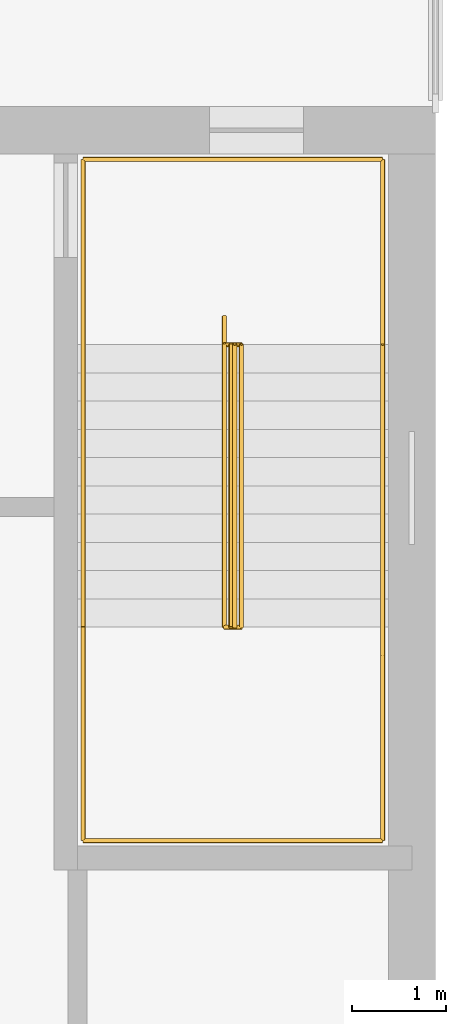
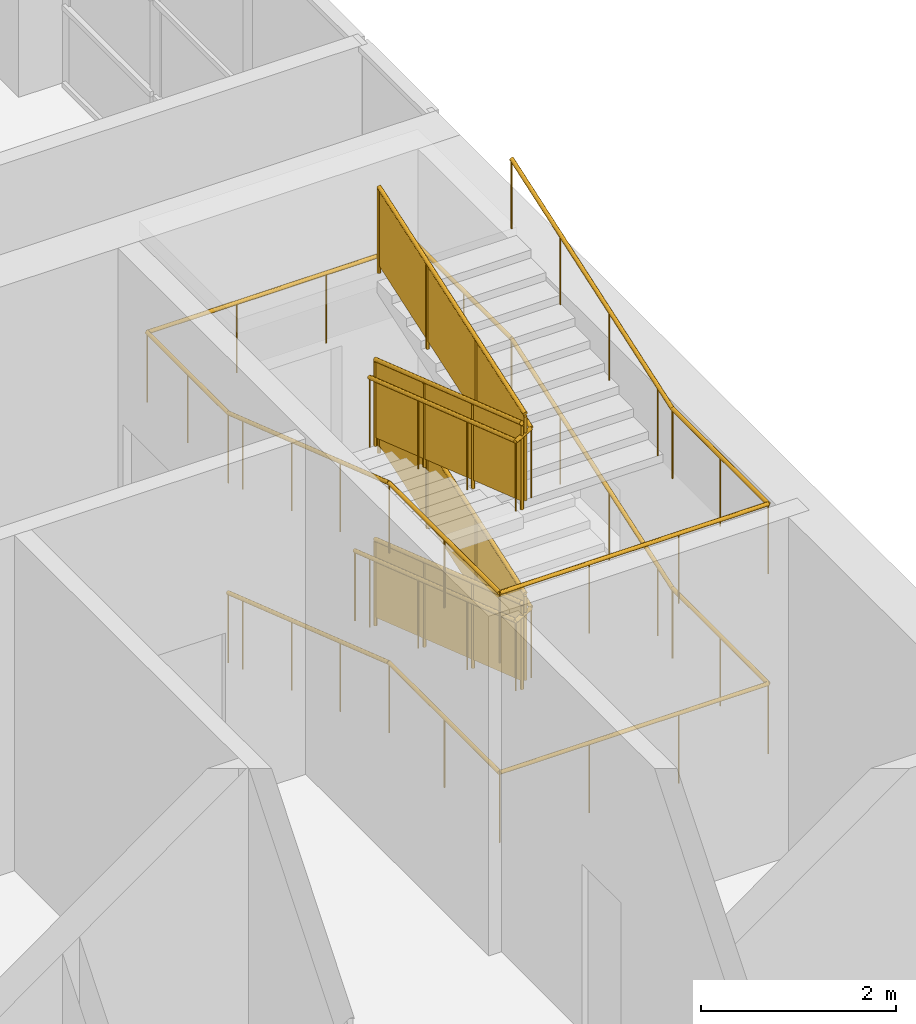
# One storey, part 60 of 64: 6 railings.
"""IFC4 building model written with IfcOpenShell, lengths in metres."""

from ifc_helpers import new_model, si_unit, direction, frame, origin, origin_2d, place, context, subcontext, project, spatial, polyline, circle, outline, extrude, material, type_object, element, save


model = new_model("IFC4")

# Units and contexts
model_context = context("Model", 3, precision=1e-05, world=origin(), true_north=direction((0.0, 1.0)))
body_context = subcontext(model_context, "Body", "Model", "MODEL_VIEW")
ifc_project = project(units=[si_unit("LENGTHUNIT", "METRE"), si_unit("AREAUNIT", "SQUARE_METRE"), si_unit("VOLUMEUNIT", "CUBIC_METRE"), si_unit("PLANEANGLEUNIT", "RADIAN"), si_unit("MASSUNIT", "GRAM", prefix="KILO")], contexts=[model_context])

# Site, building, storey
site_placement = place(None, origin())
site = spatial("IfcSite", under=ifc_project, at=site_placement, CompositionType="ELEMENT")
building_placement = place(site_placement, origin())
building = spatial("IfcBuilding", under=site, at=building_placement, Name="Rulbaag Community and Learning Centre", CompositionType="ELEMENT")
storey_placement = place(building_placement, frame((0.0, 0.0, 5.39990234375)))
storey = spatial("IfcBuildingStorey", under=building, at=storey_placement, Name="L01", CompositionType="ELEMENT", Elevation=5.39990234375)

# Railings
ifc_material_1 = material(Name="Galvanised mild steel", Category="steel")
railing_type_1 = type_object("IfcRailingType", Name="GR-1100 GUARD 1100", PredefinedType="GUARDRAIL", material=ifc_material_1)
railing_1_placement = place(storey_placement, frame((165.830078125, 106.925048828125, 0.102294921875)))
element("IfcRailing", 1, at=railing_1_placement, inside=storey, type_object=railing_type_1, Name="Guard ST2 L01 G", PredefinedType="GUARDRAIL", context=body_context, shape_type="SweptSolid", body=[
    extrude(circle(Radius=0.02490234375, at=origin_2d()), frame((0.0, 0.0, 1.0751953125), z_axis=(0.0, -0.946512326817, 0.322667654381), x_axis=(1.0, 0.0, 0.0)), (0.0, 0.0, 1.0), 3.16943359375),
    extrude(circle(Radius=0.02001953125, at=origin_2d()), origin(), (0.0, 0.0, 1.0), 1.050048828125),
    extrude(circle(Radius=0.02001953125, at=origin_2d()), frame((0.0, -1.0, 0.3408203125)), (0.0, 0.0, 1.0), 1.050048828125),
    extrude(circle(Radius=0.02001953125, at=origin_2d()), frame((0.0, -2.0, 0.681884765625)), (0.0, 0.0, 1.0), 1.050048828125),
    extrude(circle(Radius=0.02001953125, at=origin_2d()), frame((0.0, -3.0, 1.022705078125)), (0.0, 0.0, 1.0), 1.050048828125),
    extrude(outline(polyline([(0.0, 0.0), (3.0, 1.022705078125), (3.0, 1.97265625), (0.0, 0.949951171875), (0.0, 0.0)])), frame((0.0048828125, 0.0, 0.10009765625), z_axis=(-1.0, 0.0, 0.0), x_axis=(0.0, -1.0, 0.0)), (0.0, 0.0, 1.0), 0.010009765625),
])
railing_2_placement = place(storey_placement, frame((165.8701171875, 103.925048828125, 1.227294921875)))
element("IfcRailing", 2, at=railing_2_placement, inside=storey, type_object=railing_type_1, Name="Guard ST2 L01 G2", PredefinedType="GUARDRAIL", context=body_context, shape_type="SweptSolid", body=[
    extrude(circle(Radius=0.02490234375, at=origin_2d()), frame((0.0, 0.0, 1.0751953125), z_axis=(0.0, 0.946512326817, 0.322667654381), x_axis=(-1.0, 0.0, 0.0)), (0.0, 0.0, 1.0), 3.16943359375),
    extrude(circle(Radius=0.02001953125, at=origin_2d()), origin(), (0.0, 0.0, 1.0), 1.050048828125),
    extrude(circle(Radius=0.02001953125, at=origin_2d()), frame((0.0, 1.0, 0.3408203125)), (0.0, 0.0, 1.0), 1.050048828125),
    extrude(circle(Radius=0.02001953125, at=origin_2d()), frame((0.0, 2.0, 0.681884765625)), (0.0, 0.0, 1.0), 1.050048828125),
    extrude(circle(Radius=0.02001953125, at=origin_2d()), frame((0.0, 3.0, 1.022705078125)), (0.0, 0.0, 1.0), 1.050048828125),
    extrude(outline(polyline([(0.0, 0.0), (3.0, 1.022705078125), (3.0, 1.97265625), (0.0, 0.949951171875), (0.0, 0.0)])), frame((-0.0048828125, 0.0, 0.10009765625), z_axis=(1.0, 0.0, 0.0), x_axis=(0.0, 1.0, 0.0)), (0.0, 0.0, 1.0), 0.010009765625),
])
railing_3_placement = place(storey_placement, frame((165.830078125, 106.925048828125, 2.352294921875)))
element("IfcRailing", 3, at=railing_3_placement, inside=storey, type_object=railing_type_1, Name="Guard ST2 L01 G3", PredefinedType="GUARDRAIL", context=body_context, shape_type="SweptSolid", body=[
    extrude(circle(Radius=0.02490234375, at=origin_2d()), frame((0.0, 0.0, 1.0751953125), z_axis=(0.0, -0.946512326817, 0.322667654381), x_axis=(1.0, 0.0, 0.0)), (0.0, 0.0, 1.0), 3.16943359375),
    extrude(circle(Radius=0.02001953125, at=origin_2d()), origin(), (0.0, 0.0, 1.0), 1.050048828125),
    extrude(circle(Radius=0.02001953125, at=origin_2d()), frame((0.0, -1.0, 0.3408203125)), (0.0, 0.0, 1.0), 1.050048828125),
    extrude(circle(Radius=0.02001953125, at=origin_2d()), frame((0.0, -2.0, 0.681884765625)), (0.0, 0.0, 1.0), 1.050048828125),
    extrude(circle(Radius=0.02001953125, at=origin_2d()), frame((0.0, -3.0, 1.022705078125)), (0.0, 0.0, 1.0), 1.050048828125),
    extrude(outline(polyline([(0.0, 0.0), (3.0, 1.022705078125), (3.0, 1.97265625), (0.0, 0.949951171875), (0.0, 0.0)])), frame((0.0048828125, 0.0, 0.10009765625), z_axis=(-1.0, 0.0, 0.0), x_axis=(0.0, -1.0, 0.0)), (0.0, 0.0, 1.0), 0.010009765625),
])
railing_4_placement = place(storey_placement, frame((165.8701171875, 103.925048828125, 3.477294921875)))
element("IfcRailing", 4, at=railing_4_placement, inside=storey, type_object=railing_type_1, Name="Guard ST2 L01 G4", PredefinedType="GUARDRAIL", context=body_context, shape_type="SweptSolid", body=[
    extrude(circle(Radius=0.02490234375, at=origin_2d()), frame((0.0, 0.0, 1.0751953125), z_axis=(0.0, 0.946512326817, 0.322667654381), x_axis=(-1.0, 0.0, 0.0)), (0.0, 0.0, 1.0), 3.16943359375),
    extrude(circle(Radius=0.02001953125, at=origin_2d()), origin(), (0.0, 0.0, 1.0), 1.050048828125),
    extrude(circle(Radius=0.02001953125, at=origin_2d()), frame((0.0, 1.0, 0.3408203125)), (0.0, 0.0, 1.0), 1.050048828125),
    extrude(circle(Radius=0.02001953125, at=origin_2d()), frame((0.0, 2.0, 0.681884765625)), (0.0, 0.0, 1.0), 1.050048828125),
    extrude(circle(Radius=0.02001953125, at=origin_2d()), frame((0.0, 3.0, 1.022705078125)), (0.0, 0.0, 1.0), 1.050048828125),
    extrude(outline(polyline([(0.0, 0.0), (3.0, 1.022705078125), (3.0, 1.97265625), (0.0, 0.949951171875), (0.0, 0.0)])), frame((-0.0048828125, 0.0, 0.10009765625), z_axis=(1.0, 0.0, 0.0), x_axis=(0.0, 1.0, 0.0)), (0.0, 0.0, 1.0), 0.010009765625),
])
ifc_material_2 = material(Name="Stainless steel grade 316", Category="steel")
railing_type_2 = type_object("IfcRailingType", Name="HR-900 HANDRAIL 900", PredefinedType="HANDRAIL", material=ifc_material_2)
railing_5_placement = place(storey_placement, frame((164.260009765625, 107.22509765625, 0.0)))
element("IfcRailing", 5, at=railing_5_placement, inside=storey, type_object=railing_type_2, Name="Handrail ST2 L01 O", PredefinedType="HANDRAIL", context=body_context, shape_type="SweptSolid", body=[
    extrude(circle(Radius=0.024169921875, at=origin_2d()), frame((0.0, 0.0, 0.875732421875), z_axis=(0.0, -0.946504842313, 0.322689608567), x_axis=(1.0, 0.0, 0.0)), (0.0, 0.0, 1.0), 0.31689453125),
    extrude(circle(Radius=0.024169921875, at=origin_2d()), frame((0.0, -0.300048828125, 0.97802734375), z_axis=(0.0, -0.946512326817, 0.322667654381), x_axis=(1.0, 0.0, 0.0)), (0.0, 0.0, 1.0), 3.16943359375),
    extrude(circle(Radius=0.024169921875, at=origin_2d()), frame((0.0, -3.300048828125, 2.000732421875), z_axis=(0.0, -1.0, 0.0), x_axis=(1.0, 0.0, 0.0)), (0.0, 0.0, 1.0), 2.26513671875),
    extrude(circle(Radius=0.024169921875, at=origin_2d()), frame((0.0, -5.565185546875, 2.000732421875), z_axis=(1.0, 0.0, 0.0), x_axis=(0.0, 1.0, 0.0)), (0.0, 0.0, 1.0), 3.179931640625),
    extrude(circle(Radius=0.024169921875, at=origin_2d()), frame((3.179931640625, -5.565185546875, 2.000732421875), z_axis=(0.0, 1.0, 0.0), x_axis=(-1.0, 0.0, 0.0)), (0.0, 0.0, 1.0), 1.965087890625),
    extrude(circle(Radius=0.024169921875, at=origin_2d()), frame((3.179931640625, -3.60009765625, 2.000732421875), z_axis=(0.0, 0.946504842313, 0.322689608567), x_axis=(-1.0, 0.0, 0.0)), (0.0, 0.0, 1.0), 0.31689453125),
    extrude(circle(Radius=0.024169921875, at=origin_2d()), frame((3.179931640625, -3.300048828125, 2.10302734375), z_axis=(0.0, 0.946512326817, 0.322667654381), x_axis=(-1.0, 0.0, 0.0)), (0.0, 0.0, 1.0), 3.16943359375),
    extrude(circle(Radius=0.024169921875, at=origin_2d()), frame((3.179931640625, -0.300048828125, 3.125732421875), z_axis=(0.0, 1.0, 0.0), x_axis=(-1.0, 0.0, 0.0)), (0.0, 0.0, 1.0), 1.96484375),
    extrude(circle(Radius=0.024169921875, at=origin_2d()), frame((3.179931640625, 1.664794921875, 3.125732421875), z_axis=(-1.0, 0.0, 0.0), x_axis=(0.0, -1.0, 0.0)), (0.0, 0.0, 1.0), 3.179931640625),
    extrude(circle(Radius=0.024169921875, at=origin_2d()), frame((0.0, 1.664794921875, 3.125732421875), z_axis=(0.0, -1.0, 0.0), x_axis=(1.0, 0.0, 0.0)), (0.0, 0.0, 1.0), 1.664794921875),
    extrude(circle(Radius=0.024169921875, at=origin_2d()), frame((0.0, 0.0, 3.125732421875), z_axis=(0.0, -0.946504842313, 0.322689608567), x_axis=(1.0, 0.0, 0.0)), (0.0, 0.0, 1.0), 0.31689453125),
    extrude(circle(Radius=0.024169921875, at=origin_2d()), frame((0.0, -0.300048828125, 3.22802734375), z_axis=(0.0, -0.946512326817, 0.322667654381), x_axis=(1.0, 0.0, 0.0)), (0.0, 0.0, 1.0), 3.16943359375),
    extrude(circle(Radius=0.024169921875, at=origin_2d()), frame((0.0, -3.300048828125, 4.250732421875), z_axis=(0.0, -1.0, 0.0), x_axis=(1.0, 0.0, 0.0)), (0.0, 0.0, 1.0), 2.26513671875),
    extrude(circle(Radius=0.024169921875, at=origin_2d()), frame((0.0, -5.565185546875, 4.250732421875), z_axis=(1.0, 0.0, 0.0), x_axis=(0.0, 1.0, 0.0)), (0.0, 0.0, 1.0), 3.179931640625),
    extrude(circle(Radius=0.024169921875, at=origin_2d()), frame((3.179931640625, -5.565185546875, 4.250732421875), z_axis=(0.0, 1.0, 0.0), x_axis=(-1.0, 0.0, 0.0)), (0.0, 0.0, 1.0), 1.965087890625),
    extrude(circle(Radius=0.024169921875, at=origin_2d()), frame((3.179931640625, -3.60009765625, 4.250732421875), z_axis=(0.0, 0.946504842313, 0.322689608567), x_axis=(-1.0, 0.0, 0.0)), (0.0, 0.0, 1.0), 0.31689453125),
    extrude(circle(Radius=0.024169921875, at=origin_2d()), frame((3.179931640625, -3.300048828125, 4.35302734375), z_axis=(0.0, 0.946512326817, 0.322667654381), x_axis=(-1.0, 0.0, 0.0)), (0.0, 0.0, 1.0), 3.16943359375),
    extrude(circle(Radius=0.008056640625, at=origin_2d()), origin(), (0.0, 0.0, 1.0), 0.8515625),
    extrude(circle(Radius=0.008056640625, at=origin_2d()), frame((0.0, -0.300048828125, 0.102294921875)), (0.0, 0.0, 1.0), 0.8515625),
    extrude(circle(Radius=0.008056640625, at=origin_2d()), frame((0.0, -1.300048828125, 0.443115234375)), (0.0, 0.0, 1.0), 0.8515625),
    extrude(circle(Radius=0.008056640625, at=origin_2d()), frame((0.0, -2.300048828125, 0.7841796875)), (0.0, 0.0, 1.0), 0.8515625),
    extrude(circle(Radius=0.008056640625, at=origin_2d()), frame((0.0, -3.300048828125, 1.125)), (0.0, 0.0, 1.0), 0.8515625),
    extrude(circle(Radius=0.008056640625, at=origin_2d()), frame((0.0, -4.4326171875, 1.125)), (0.0, 0.0, 1.0), 0.8515625),
    extrude(circle(Radius=0.008056640625, at=origin_2d()), frame((0.0, -5.565185546875, 1.125)), (0.0, 0.0, 1.0), 0.8515625),
    extrude(circle(Radius=0.008056640625, at=origin_2d()), frame((1.06005859375, -5.565185546875, 1.125)), (0.0, 0.0, 1.0), 0.8515625),
    extrude(circle(Radius=0.008056640625, at=origin_2d()), frame((2.119873046875, -5.565185546875, 1.125)), (0.0, 0.0, 1.0), 0.8515625),
    extrude(circle(Radius=0.008056640625, at=origin_2d()), frame((3.179931640625, -5.565185546875, 1.125)), (0.0, 0.0, 1.0), 0.8515625),
    extrude(circle(Radius=0.008056640625, at=origin_2d()), frame((3.179931640625, -4.58251953125, 1.125)), (0.0, 0.0, 1.0), 0.8515625),
    extrude(circle(Radius=0.008056640625, at=origin_2d()), frame((3.179931640625, -3.60009765625, 1.125)), (0.0, 0.0, 1.0), 0.8515625),
    extrude(circle(Radius=0.008056640625, at=origin_2d()), frame((3.179931640625, -3.300048828125, 1.227294921875)), (0.0, 0.0, 1.0), 0.8515625),
    extrude(circle(Radius=0.008056640625, at=origin_2d()), frame((3.179931640625, -2.300048828125, 1.568115234375)), (0.0, 0.0, 1.0), 0.8515625),
    extrude(circle(Radius=0.008056640625, at=origin_2d()), frame((3.179931640625, -1.300048828125, 1.9091796875)), (0.0, 0.0, 1.0), 0.8515625),
    extrude(circle(Radius=0.008056640625, at=origin_2d()), frame((3.179931640625, -0.300048828125, 2.25)), (0.0, 0.0, 1.0), 0.8515625),
    extrude(circle(Radius=0.008056640625, at=origin_2d()), frame((3.179931640625, 0.682373046875, 2.25)), (0.0, 0.0, 1.0), 0.8515625),
    extrude(circle(Radius=0.008056640625, at=origin_2d()), frame((3.179931640625, 1.664794921875, 2.25)), (0.0, 0.0, 1.0), 0.8515625),
    extrude(circle(Radius=0.008056640625, at=origin_2d()), frame((2.119873046875, 1.664794921875, 2.25)), (0.0, 0.0, 1.0), 0.8515625),
    extrude(circle(Radius=0.008056640625, at=origin_2d()), frame((1.06005859375, 1.664794921875, 2.25)), (0.0, 0.0, 1.0), 0.8515625),
    extrude(circle(Radius=0.008056640625, at=origin_2d()), frame((0.0, 1.664794921875, 2.25)), (0.0, 0.0, 1.0), 0.8515625),
    extrude(circle(Radius=0.008056640625, at=origin_2d()), frame((0.0, 0.83251953125, 2.25)), (0.0, 0.0, 1.0), 0.8515625),
    extrude(circle(Radius=0.008056640625, at=origin_2d()), frame((0.0, 0.0, 2.25)), (0.0, 0.0, 1.0), 0.8515625),
    extrude(circle(Radius=0.008056640625, at=origin_2d()), frame((0.0, -0.300048828125, 2.352294921875)), (0.0, 0.0, 1.0), 0.8515625),
    extrude(circle(Radius=0.008056640625, at=origin_2d()), frame((0.0, -1.300048828125, 2.693115234375)), (0.0, 0.0, 1.0), 0.8515625),
    extrude(circle(Radius=0.008056640625, at=origin_2d()), frame((0.0, -2.300048828125, 3.0341796875)), (0.0, 0.0, 1.0), 0.8515625),
    extrude(circle(Radius=0.008056640625, at=origin_2d()), frame((0.0, -3.300048828125, 3.375)), (0.0, 0.0, 1.0), 0.8515625),
    extrude(circle(Radius=0.008056640625, at=origin_2d()), frame((0.0, -4.4326171875, 3.375)), (0.0, 0.0, 1.0), 0.8515625),
    extrude(circle(Radius=0.008056640625, at=origin_2d()), frame((0.0, -5.565185546875, 3.375)), (0.0, 0.0, 1.0), 0.8515625),
    extrude(circle(Radius=0.008056640625, at=origin_2d()), frame((1.06005859375, -5.565185546875, 3.375)), (0.0, 0.0, 1.0), 0.8515625),
    extrude(circle(Radius=0.008056640625, at=origin_2d()), frame((2.119873046875, -5.565185546875, 3.375)), (0.0, 0.0, 1.0), 0.8515625),
    extrude(circle(Radius=0.008056640625, at=origin_2d()), frame((3.179931640625, -5.565185546875, 3.375)), (0.0, 0.0, 1.0), 0.8515625),
    extrude(circle(Radius=0.008056640625, at=origin_2d()), frame((3.179931640625, -4.58251953125, 3.375)), (0.0, 0.0, 1.0), 0.8515625),
    extrude(circle(Radius=0.008056640625, at=origin_2d()), frame((3.179931640625, -3.60009765625, 3.375)), (0.0, 0.0, 1.0), 0.8515625),
    extrude(circle(Radius=0.008056640625, at=origin_2d()), frame((3.179931640625, -3.300048828125, 3.477294921875)), (0.0, 0.0, 1.0), 0.8515625),
    extrude(circle(Radius=0.008056640625, at=origin_2d()), frame((3.179931640625, -2.300048828125, 3.818115234375)), (0.0, 0.0, 1.0), 0.8515625),
    extrude(circle(Radius=0.008056640625, at=origin_2d()), frame((3.179931640625, -1.300048828125, 4.1591796875)), (0.0, 0.0, 1.0), 0.8515625),
    extrude(circle(Radius=0.008056640625, at=origin_2d()), frame((3.179931640625, -0.300048828125, 4.5)), (0.0, 0.0, 1.0), 0.8515625),
])
railing_6_placement = place(storey_placement, frame((165.760009765625, 107.22509765625, 0.0)))
element("IfcRailing", 6, at=railing_6_placement, inside=storey, type_object=railing_type_2, Name="Handrail ST2 L01 I", PredefinedType="HANDRAIL", context=body_context, shape_type="SweptSolid", body=[
    extrude(circle(Radius=0.024169921875, at=origin_2d()), frame((0.0, 0.0, 0.875732421875), z_axis=(0.0, -0.946504842313, 0.322689608567), x_axis=(1.0, 0.0, 0.0)), (0.0, 0.0, 1.0), 0.31689453125),
    extrude(circle(Radius=0.024169921875, at=origin_2d()), frame((0.0, -0.300048828125, 0.97802734375), z_axis=(0.0, -0.946512326817, 0.322667654381), x_axis=(1.0, 0.0, 0.0)), (0.0, 0.0, 1.0), 3.16943359375),
    extrude(circle(Radius=0.024169921875, at=origin_2d()), frame((0.0, -3.300048828125, 2.000732421875), z_axis=(0.869329868598, 0.0, 0.494232313355), x_axis=(0.0, 1.0, 0.0)), (0.0, 0.0, 1.0), 0.20703125),
    extrude(circle(Radius=0.024169921875, at=origin_2d()), frame((0.179931640625, -3.300048828125, 2.10302734375), z_axis=(0.0, 0.946512326817, 0.322667654381), x_axis=(-1.0, 0.0, 0.0)), (0.0, 0.0, 1.0), 3.16943359375),
    extrude(circle(Radius=0.024169921875, at=origin_2d()), frame((0.179931640625, -0.300048828125, 3.125732421875), z_axis=(-0.869329868598, 0.0, 0.494232313355), x_axis=(0.0, -1.0, 0.0)), (0.0, 0.0, 1.0), 0.20703125),
    extrude(circle(Radius=0.024169921875, at=origin_2d()), frame((0.0, -0.300048828125, 3.22802734375), z_axis=(0.0, -0.946512326817, 0.322667654381), x_axis=(1.0, 0.0, 0.0)), (0.0, 0.0, 1.0), 3.16943359375),
    extrude(circle(Radius=0.024169921875, at=origin_2d()), frame((0.0, -3.300048828125, 4.250732421875), z_axis=(0.869329868598, 0.0, 0.494232313355), x_axis=(0.0, 1.0, 0.0)), (0.0, 0.0, 1.0), 0.20703125),
    extrude(circle(Radius=0.024169921875, at=origin_2d()), frame((0.179931640625, -3.300048828125, 4.35302734375), z_axis=(0.0, 0.946512326817, 0.322667654381), x_axis=(-1.0, 0.0, 0.0)), (0.0, 0.0, 1.0), 3.16943359375),
    extrude(circle(Radius=0.008056640625, at=origin_2d()), origin(), (0.0, 0.0, 1.0), 0.8515625),
    extrude(circle(Radius=0.008056640625, at=origin_2d()), frame((0.0, -0.300048828125, 0.102294921875)), (0.0, 0.0, 1.0), 0.8515625),
    extrude(circle(Radius=0.008056640625, at=origin_2d()), frame((0.0, -1.300048828125, 0.443115234375)), (0.0, 0.0, 1.0), 0.8515625),
    extrude(circle(Radius=0.008056640625, at=origin_2d()), frame((0.0, -2.300048828125, 0.7841796875)), (0.0, 0.0, 1.0), 0.8515625),
    extrude(circle(Radius=0.008056640625, at=origin_2d()), frame((0.0, -3.300048828125, 1.125)), (0.0, 0.0, 1.0), 0.8515625),
    extrude(circle(Radius=0.008056640625, at=origin_2d()), frame((0.179931640625, -3.300048828125, 1.227294921875)), (0.0, 0.0, 1.0), 0.8515625),
    extrude(circle(Radius=0.008056640625, at=origin_2d()), frame((0.179931640625, -2.300048828125, 1.568115234375)), (0.0, 0.0, 1.0), 0.8515625),
    extrude(circle(Radius=0.008056640625, at=origin_2d()), frame((0.179931640625, -1.300048828125, 1.9091796875)), (0.0, 0.0, 1.0), 0.8515625),
    extrude(circle(Radius=0.008056640625, at=origin_2d()), frame((0.179931640625, -0.300048828125, 2.25)), (0.0, 0.0, 1.0), 0.8515625),
    extrude(circle(Radius=0.008056640625, at=origin_2d()), frame((0.0, -0.300048828125, 2.352294921875)), (0.0, 0.0, 1.0), 0.8515625),
    extrude(circle(Radius=0.008056640625, at=origin_2d()), frame((0.0, -1.300048828125, 2.693115234375)), (0.0, 0.0, 1.0), 0.8515625),
    extrude(circle(Radius=0.008056640625, at=origin_2d()), frame((0.0, -2.300048828125, 3.0341796875)), (0.0, 0.0, 1.0), 0.8515625),
    extrude(circle(Radius=0.008056640625, at=origin_2d()), frame((0.0, -3.300048828125, 3.375)), (0.0, 0.0, 1.0), 0.8515625),
    extrude(circle(Radius=0.008056640625, at=origin_2d()), frame((0.179931640625, -3.300048828125, 3.477294921875)), (0.0, 0.0, 1.0), 0.8515625),
    extrude(circle(Radius=0.008056640625, at=origin_2d()), frame((0.179931640625, -2.300048828125, 3.818115234375)), (0.0, 0.0, 1.0), 0.8515625),
    extrude(circle(Radius=0.008056640625, at=origin_2d()), frame((0.179931640625, -1.300048828125, 4.1591796875)), (0.0, 0.0, 1.0), 0.8515625),
    extrude(circle(Radius=0.008056640625, at=origin_2d()), frame((0.179931640625, -0.300048828125, 4.5)), (0.0, 0.0, 1.0), 0.8515625),
])

save(model, "model.ifc")
